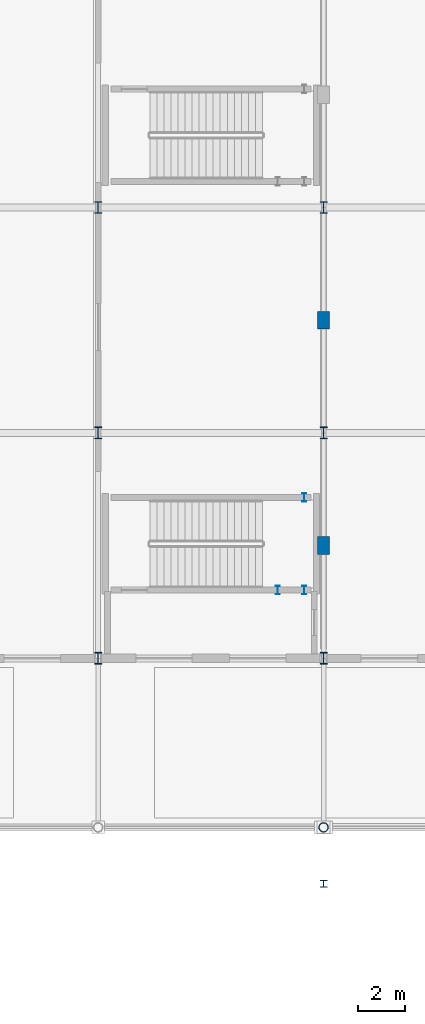
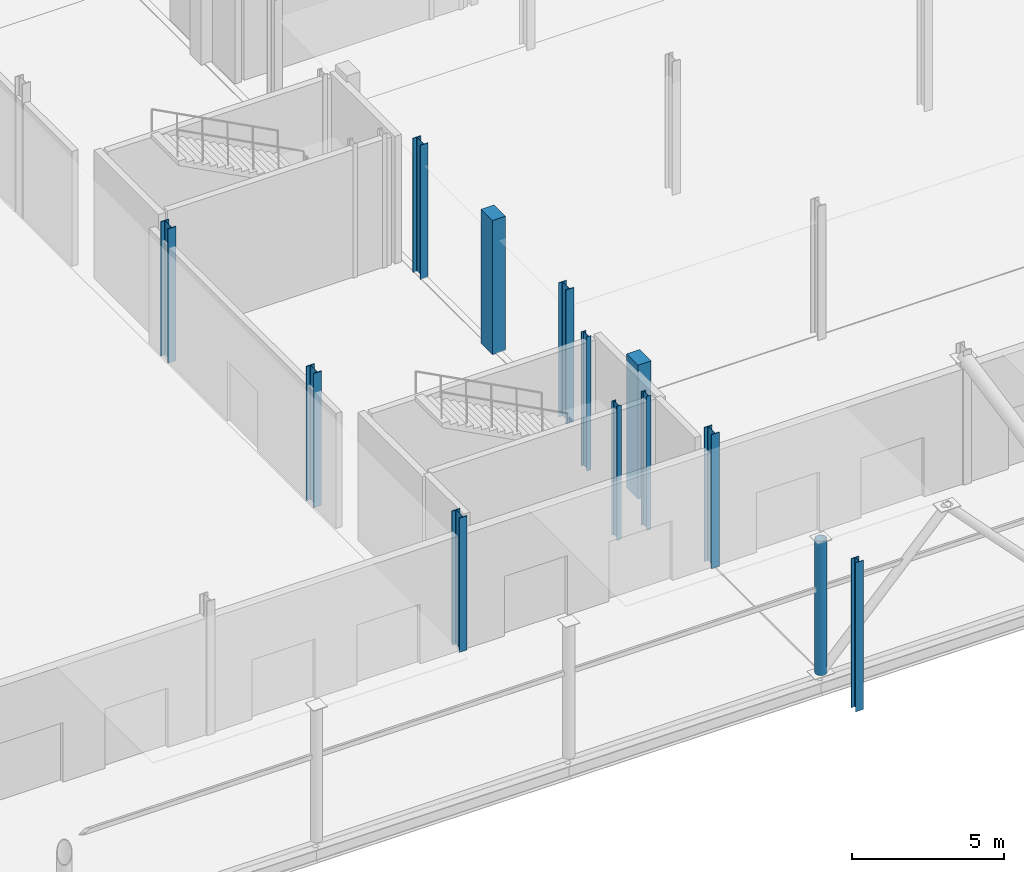
# One storey, part 2 of 84: 13 columns.
"""IFC4 building model written with IfcOpenShell, lengths in metres."""

from ifc_helpers import new_model, si_unit, direction, frame, origin, origin_2d, place, context, subcontext, project, spatial, rectangle, hollow_circle, i_section, extrude, material, material_profile, profile_set, type_object, element, save


model = new_model("IFC4")

# Units and contexts
model_context = context("Model", 3, precision=1e-05, world=origin(), true_north=direction((0.0, 1.0)))
body_context = subcontext(model_context, "Body", "Model", "MODEL_VIEW")
ifc_project = project(units=[si_unit("LENGTHUNIT", "METRE"), si_unit("AREAUNIT", "SQUARE_METRE"), si_unit("VOLUMEUNIT", "CUBIC_METRE"), si_unit("PLANEANGLEUNIT", "RADIAN"), si_unit("MASSUNIT", "GRAM", prefix="KILO")], contexts=[model_context])

# Site, building, storey
site_placement = place(None, origin())
site = spatial("IfcSite", under=ifc_project, at=site_placement, CompositionType="ELEMENT")
building_placement = place(site_placement, origin())
building = spatial("IfcBuilding", under=site, at=building_placement, Name="Zevrakil Square Congress Hotel", CompositionType="ELEMENT")
storey_placement = place(building_placement, origin())
storey = spatial("IfcBuildingStorey", under=building, at=storey_placement, Name="L01", CompositionType="ELEMENT", Elevation=0.0)

# Columns
ifc_material_1 = material(Name="Steel S355", Category="steel")
ifc_material_profile_1 = material_profile(ifc_material_1, hollow_circle(Radius=0.203125, WallThickness=0.02001953125, at=origin_2d()), Name="CHS 406.4x20")
ifc_profile_set_1 = profile_set([ifc_material_profile_1], Name="Steel S355")
column_type_1 = type_object("IfcColumnType", Name="COL-CHS406", PredefinedType="COLUMN", material=ifc_profile_set_1)
column_1_placement = place(storey_placement, frame((55.199951171875, 0.0, 0.0), z_axis=(0.0, 0.0, 1.0), x_axis=(1.0, 0.0, 0.0)))
element("IfcColumn", 1, at=column_1_placement, inside=storey, type_object=column_type_1, Name="L01 column C-081", PredefinedType="COLUMN", context=body_context, shape_type="SweptSolid", body=[
    extrude(hollow_circle(Radius=0.203125, WallThickness=0.02001953125, at=origin_2d()), origin(), (0.0, 0.0, 1.0), 5.39990234375),
])
ifc_material_2 = material(Name="Steel S355", Category="steel")
ifc_material_profile_2 = material_profile(ifc_material_2, i_section(OverallWidth=0.300048828125, OverallDepth=0.300048828125, WebThickness=0.010986328125, FlangeThickness=0.01904296875, FilletRadius=0.027099609375, at=origin_2d()), Name="HEB 300")
ifc_profile_set_2 = profile_set([ifc_material_profile_2], Name="Steel S355")
column_type_2 = type_object("IfcColumnType", Name="COL-HEB300", PredefinedType="COLUMN", material=ifc_profile_set_2)
column_2_placement = place(storey_placement, frame((55.199951171875, -2.39990234375, 0.0), z_axis=(0.0, 0.0, 1.0), x_axis=(1.0, 0.0, 0.0)))
element("IfcColumn", 2, at=column_2_placement, inside=storey, type_object=column_type_2, Name="L01 south entrance canopy column CPC-01", PredefinedType="COLUMN", context=body_context, shape_type="SweptSolid", body=[
    extrude(i_section(OverallWidth=0.300048828125, OverallDepth=0.300048828125, WebThickness=0.010986328125, FlangeThickness=0.01904296875, FilletRadius=0.027099609375, at=origin_2d()), origin(), (0.0, 0.0, 1.0), 6.0),
])
ifc_material_3 = material(Name="Steel S355", Category="steel")
ifc_material_profile_3 = material_profile(ifc_material_3, i_section(OverallWidth=0.300048828125, OverallDepth=0.5, WebThickness=0.014404296875, FlangeThickness=0.028076171875, FilletRadius=0.027099609375, at=origin_2d()), Name="HEB 500")
ifc_profile_set_3 = profile_set([ifc_material_profile_3], Name="Steel S355")
column_type_3 = type_object("IfcColumnType", Name="COL-HEB500", PredefinedType="COLUMN", material=ifc_profile_set_3)
for number, where, z_axis, x_axis, name in (
    (3, (45.60009765625, 7.199951171875, 0.0), (0.0, 0.0, 1.0), (1.0, 0.0, 0.0), "L01 column C-068"),
    (4, (45.60009765625, 16.800048828125, 0.0), (0.0, 0.0, 1.0), (1.0, 0.0, 0.0), "L01 column C-069"),
    (5, (45.60009765625, 26.39990234375, 0.0), (0.0, 0.0, 1.0), (1.0, 0.0, 0.0), "L01 column C-070"),
    (6, (55.199951171875, 7.199951171875, 0.0), (0.0, 0.0, 1.0), (1.0, 0.0, 0.0), "L01 column C-082"),
    (7, (55.199951171875, 16.800048828125, 0.0), (0.0, 0.0, 1.0), (1.0, 0.0, 0.0), "L01 column C-084"),
    (8, (55.199951171875, 26.39990234375, 0.0), (0.0, 0.0, 1.0), (1.0, 0.0, 0.0), "L01 column C-086"),
):
    element("IfcColumn", number, at=place(storey_placement, frame(where, z_axis=z_axis, x_axis=x_axis)), inside=storey, type_object=column_type_3, Name=name, PredefinedType="COLUMN", context=body_context, shape_type="SweptSolid", body=[
        extrude(i_section(OverallWidth=0.300048828125, OverallDepth=0.5, WebThickness=0.014404296875, FlangeThickness=0.028076171875, FilletRadius=0.027099609375, at=origin_2d()), origin(), (0.0, 0.0, 1.0), 5.39990234375),
    ])
ifc_material_4 = material(Name="Concrete C40/50", Category="concrete")
ifc_material_profile_4 = material_profile(ifc_material_4, rectangle(XDim=0.5, YDim=0.75, at=origin_2d()), Name="RC 500x750")
ifc_profile_set_4 = profile_set([ifc_material_profile_4], Name="Concrete C40/50")
column_type_4 = type_object("IfcColumnType", Name="COL-PILASTER-RC500x750", PredefinedType="PILASTER", material=ifc_profile_set_4)
for number, where, z_axis, x_axis, name in (
    (9, (55.199951171875, 12.0, 0.0), (0.0, 0.0, 1.0), (1.0, 0.0, 0.0), "L01 pilaster PL-01"),
    (10, (55.199951171875, 21.60009765625, 0.0), (0.0, 0.0, 1.0), (1.0, 0.0, 0.0), "L01 pilaster PL-02"),
):
    element("IfcColumn", number, at=place(storey_placement, frame(where, z_axis=z_axis, x_axis=x_axis)), inside=storey, type_object=column_type_4, Name=name, PredefinedType="PILASTER", context=body_context, shape_type="SweptSolid", body=[
        extrude(rectangle(XDim=0.5, YDim=0.75, at=origin_2d()), origin(), (0.0, 0.0, 1.0), 5.39990234375),
    ])
ifc_material_5 = material(Name="Steel S355", Category="steel")
ifc_material_profile_5 = material_profile(ifc_material_5, i_section(OverallWidth=0.169921875, OverallDepth=0.360107421875, WebThickness=0.008056640625, FlangeThickness=0.0126953125, FilletRadius=0.01806640625, at=origin_2d()), Name="IPE 360")
ifc_profile_set_5 = profile_set([ifc_material_profile_5], Name="Steel S355")
column_type_5 = type_object("IfcColumnType", Name="COL-PILASTER-SHS180", PredefinedType="PILASTER", material=ifc_profile_set_5)
for number, where, z_axis, x_axis, name in (
    (11, (53.25, 10.10009765625, 0.0), (0.0, 0.0, 1.0), (1.0, 0.0, 0.0), "L01 ST12 stair shaft post 1"),
    (12, (54.3798828125, 10.10009765625, 0.0), (0.0, 0.0, 1.0), (1.0, 0.0, 0.0), "L01 ST12 stair shaft post 2"),
    (13, (54.3798828125, 14.050048828125, 0.0), (0.0, 0.0, 1.0), (1.0, 0.0, 0.0), "L01 ST12 stair shaft post 3"),
):
    element("IfcColumn", number, at=place(storey_placement, frame(where, z_axis=z_axis, x_axis=x_axis)), inside=storey, type_object=column_type_5, Name=name, PredefinedType="PILASTER", context=body_context, shape_type="SweptSolid", body=[
        extrude(i_section(OverallWidth=0.169921875, OverallDepth=0.360107421875, WebThickness=0.008056640625, FlangeThickness=0.0126953125, FilletRadius=0.01806640625, at=origin_2d()), origin(), (0.0, 0.0, 1.0), 5.39990234375),
    ])

save(model, "model.ifc")
